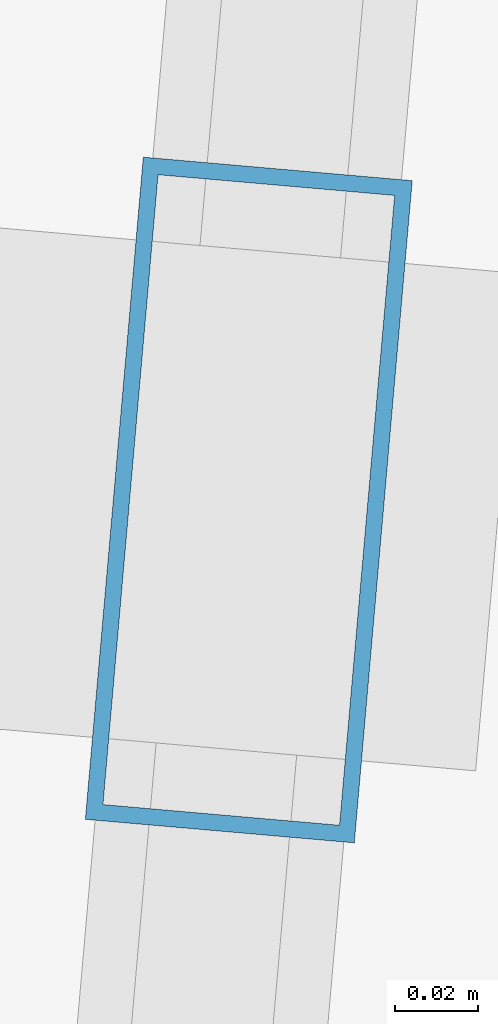
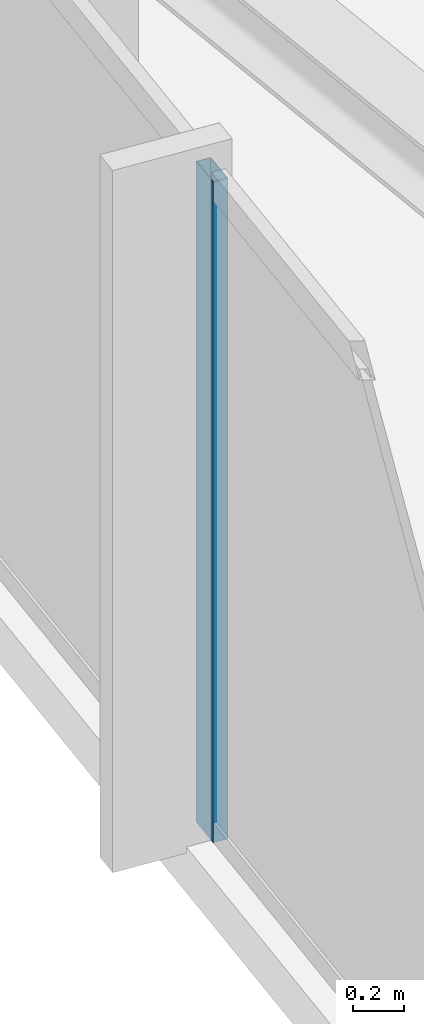
# One storey, part 5 of 33: 1 member, 1 element without a shape of its own.
"""IFC4 building model written with IfcOpenShell, lengths in metres."""

import ifcopenshell
import ifcopenshell.guid

model = None  # the IFC model being written
_history = None  # IfcOwnerHistory: only IFC2X3 demands one
_inside = {}  # id of a spatial element -> (the spatial element, [elements in it])
_under = {}  # id of a project, library or spatial element -> (it, [spatial elements below it])
_declared = {}  # id of a project -> (the project, [libraries it declares])
_typed = {}  # id of a type object -> (the type object, [elements of that type])
_made_of = {}  # id of a material, layer set ... -> (it, [elements and type objects made of it])


def new_model(schema):
    """Start an empty IFC model of exactly this schema.

    Asked for "IFC4X3", IfcOpenShell would pick the latest addendum, in which some entities
    have other attributes; the version numbers below select the first issue.
    IFC2X3 requires an IfcOwnerHistory on every rooted entity: one is made here for all.
    """
    global model, _history
    if schema == "IFC4X3":
        model = ifcopenshell.file(schema_version=(4, 3, 0, 0))
    else:
        model = ifcopenshell.file(schema=schema)
    _inside.clear()
    _under.clear()
    _declared.clear()
    _typed.clear()
    _made_of.clear()
    _history = None
    if model.schema == "IFC2X3":
        org = make("IfcOrganization", Name="unknown")
        user = make(
            "IfcPersonAndOrganization",
            ThePerson=make("IfcPerson", FamilyName="unknown"),
            TheOrganization=org,
        )
        app = make(
            "IfcApplication",
            ApplicationDeveloper=org,
            Version="unknown",
            ApplicationFullName="unknown",
            ApplicationIdentifier="unknown",
        )
        _history = make(
            "IfcOwnerHistory",
            OwningUser=user,
            OwningApplication=app,
            ChangeAction="ADDED",
            CreationDate=0,
        )
    return model


def make(cls, **values):
    """One entity of the class cls with the attributes given. An attribute that is None is left unset."""
    return model.create_entity(
        cls, **{name: value for name, value in values.items() if value is not None}
    )


def rooted(cls, **values):
    """An entity with a GlobalId (a new one), such as an element, a storey or a relation."""
    return make(cls, GlobalId=ifcopenshell.guid.new(), OwnerHistory=_history, **values)


def si_unit(unit_type, name, prefix=None):
    """IfcSIUnit, for example si_unit("LENGTHUNIT", "METRE", prefix="MILLI")."""
    return make("IfcSIUnit", UnitType=unit_type, Prefix=prefix, Name=name)


def assignment(units):
    """IfcUnitAssignment: the units of a project."""
    return None if units is None else make("IfcUnitAssignment", Units=units)


def point(xyz):
    """IfcCartesianPoint."""
    return None if xyz is None else make("IfcCartesianPoint", Coordinates=xyz)


def direction(xyz):
    """IfcDirection."""
    return None if xyz is None else make("IfcDirection", DirectionRatios=xyz)


def frame(location, z_axis=None, x_axis=None):
    """IfcAxis2Placement3D, a coordinate frame: its origin and axes. An axis left out is left unset."""
    return make(
        "IfcAxis2Placement3D",
        Location=point(location),
        Axis=direction(z_axis),
        RefDirection=direction(x_axis),
    )


def frame_2d(location, x_axis=None):
    """IfcAxis2Placement2D, a coordinate frame in the plane: its origin and x axis."""
    return make(
        "IfcAxis2Placement2D", Location=point(location), RefDirection=direction(x_axis)
    )


def origin():
    """The frame at (0, 0, 0) with its axes left unset."""
    return frame((0.0, 0.0, 0.0))


def origin_2d():
    """The frame at (0, 0) in the plane with its x axis left unset."""
    return frame_2d((0.0, 0.0))


def place(relative_to, where):
    """IfcLocalPlacement: puts the frame where relative to a parent placement (None: the world)."""
    return make(
        "IfcLocalPlacement", PlacementRelTo=relative_to, RelativePlacement=where
    )


def context(
    kind, dimensions, precision=None, world=None, true_north=None, identifier=None
):
    """IfcGeometricRepresentationContext, for example the 3D "Model" context."""
    return make(
        "IfcGeometricRepresentationContext",
        ContextIdentifier=identifier,
        ContextType=kind,
        CoordinateSpaceDimension=dimensions,
        Precision=precision,
        WorldCoordinateSystem=world,
        TrueNorth=true_north,
    )


def subcontext(parent, identifier, kind, view, scale=None):
    """IfcGeometricRepresentationSubContext, for example "Body" below "Model"."""
    return make(
        "IfcGeometricRepresentationSubContext",
        ContextIdentifier=identifier,
        ContextType=kind,
        ParentContext=parent,
        TargetScale=scale,
        TargetView=view,
    )


def project(units=None, contexts=None):
    """IfcProject with its units and contexts."""
    return rooted(
        "IfcProject",
        Name="project",
        RepresentationContexts=contexts,
        UnitsInContext=assignment(units),
    )


def spatial(cls, under=None, at=None, **own):
    """A site, building, storey or space (cls), placed at a placement, below another one or the project."""
    s = rooted(cls, ObjectPlacement=at, **own)
    if under is not None:
        _under.setdefault(under.id(), (under, []))[1].append(s)
    return s


def profile(cls, at=None, kind="AREA", **sizes):
    """A parametric profile (cls). Its sizes go by their IFC names, for example OverallWidth=200.0."""
    return make(cls, ProfileType=kind, Position=at, **sizes)


def hollow_rectangle(**sizes):
    """IfcRectangleHollowProfileDef."""
    return profile("IfcRectangleHollowProfileDef", **sizes)


def extrude(swept, where, along, depth):
    """IfcExtrudedAreaSolid: the profile swept, set in the frame where, extruded along a direction by depth."""
    return make(
        "IfcExtrudedAreaSolid",
        SweptArea=swept,
        Position=where,
        ExtrudedDirection=direction(along),
        Depth=depth,
    )


def shape(context_of_items, identifier, shape_type, items):
    """IfcShapeRepresentation: the items that make up one representation, for example the "Body"."""
    return make(
        "IfcShapeRepresentation",
        ContextOfItems=context_of_items,
        RepresentationIdentifier=identifier,
        RepresentationType=shape_type,
        Items=items,
    )


def material(Name=None, Category=None):
    """IfcMaterial."""
    return make("IfcMaterial", Name=Name, Category=Category)


def material_profile(
    of_material, cross_section, Name=None, Category=None, Priority=None
):
    """IfcMaterialProfile: a cross section and its material."""
    return make(
        "IfcMaterialProfile",
        Name=Name,
        Material=of_material,
        Profile=cross_section,
        Priority=Priority,
        Category=Category,
    )


def profile_set(profiles, Name=None, composite=None):
    """IfcMaterialProfileSet."""
    return make(
        "IfcMaterialProfileSet",
        Name=Name,
        MaterialProfiles=profiles,
        CompositeProfile=composite,
    )


def made_of(thing, what):
    """Note that an element or type object is made of a material, layer set ...; save() writes the relation."""
    if what is not None:
        _made_of.setdefault(what.id(), (what, []))[1].append(thing)
    return thing


def type_object(cls, material=None, **own):
    """A type object (cls), such as IfcWallType, which elements share."""
    return made_of(rooted(cls, **own), material)


def element(
    cls,
    number,
    at=None,
    inside=None,
    cuts=None,
    type_object=None,
    material=None,
    context=None,
    identifier="Body",
    shape_type=None,
    held_by="IfcProductDefinitionShape",
    body=None,
    shapes=None,
    **own,
):
    """One element of the class cls, such as IfcWall. Its Tag is "e" and its number.

    at: its placement. inside: the storey or other place that contains it. cuts: it is an
    opening in that element (IfcRelVoidsElement). A single representation is given by context,
    identifier, shape_type and body (its items); several are given by shapes. held_by: the class
    of the entity that holds the representations. save() writes the other relations.
    """
    e = rooted(cls, Tag="e%d" % number, ObjectPlacement=at, **own)
    if body is not None:
        shapes = [shape(context, identifier, shape_type, body)]
    if shapes is not None:
        e.Representation = make(held_by, Representations=shapes)
    if inside is not None:
        _inside.setdefault(inside.id(), (inside, []))[1].append(e)
    if cuts is not None:
        rooted(
            "IfcRelVoidsElement", RelatingBuildingElement=cuts, RelatedOpeningElement=e
        )
    if type_object is not None:
        _typed.setdefault(type_object.id(), (type_object, []))[1].append(e)
    return made_of(e, material)


def aggregate(whole, parts):
    """IfcRelAggregates: a whole, such as a stair, and the parts it consists of."""
    return rooted("IfcRelAggregates", RelatingObject=whole, RelatedObjects=parts)


def save(model, path):
    """Write the relations noted so far, then the file.

    IfcRelAggregates (storeys below a building ...), IfcRelContainedInSpatialStructure (elements
    in a storey), IfcRelDefinesByType, IfcRelAssociatesMaterial and IfcRelDeclares: one each for
    every whole, place, type object, material and project.
    """
    for whole, parts in _under.values():
        aggregate(whole, parts)
    for where, things in _inside.values():
        rooted(
            "IfcRelContainedInSpatialStructure",
            RelatedElements=things,
            RelatingStructure=where,
        )
    for kind, things in _typed.values():
        rooted("IfcRelDefinesByType", RelatedObjects=things, RelatingType=kind)
    for what, things in _made_of.values():
        rooted("IfcRelAssociatesMaterial", RelatedObjects=things, RelatingMaterial=what)
    for by, libraries in _declared.values():
        rooted("IfcRelDeclares", RelatingContext=by, RelatedDefinitions=libraries)
    model.write(path)


model = new_model("IFC4")

# Units and contexts
model_context = context("Model", 3, precision=1e-05, world=origin(), true_north=direction((0.0, 1.0)))
body_context = subcontext(model_context, "Body", "Model", "MODEL_VIEW")
ifc_project = project(units=[si_unit("LENGTHUNIT", "METRE"), si_unit("AREAUNIT", "SQUARE_METRE"), si_unit("VOLUMEUNIT", "CUBIC_METRE"), si_unit("PLANEANGLEUNIT", "RADIAN"), si_unit("MASSUNIT", "GRAM", prefix="KILO")], contexts=[model_context])

# Site, building, storey
site_placement = place(None, origin())
site = spatial("IfcSite", under=ifc_project, at=site_placement, CompositionType="ELEMENT")
building_placement = place(site_placement, origin())
building = spatial("IfcBuilding", under=site, at=building_placement, Name="Yelkora Congress Tower", CompositionType="ELEMENT")
storey_placement = place(building_placement, frame((0.0, 0.0, 286.300048828125)))
storey = spatial("IfcBuildingStorey", under=building, at=storey_placement, Name="L80", CompositionType="ELEMENT", Elevation=286.300048828125)

# Curtain wall, member
ifc_material_1 = material(Name="Anodised aluminium and insulated glass", Category="aluminium")
curtain_wall_type = type_object("IfcCurtainWallType", Name="CW-SYS-B5", PredefinedType="NOTDEFINED", material=ifc_material_1)
curtain_wall_placement = place(storey_placement, origin())
curtain_wall = element("IfcCurtainWall", 1, at=curtain_wall_placement, inside=storey, type_object=curtain_wall_type, Name="L80 Unitised Curtain Wall 5", PredefinedType="NOTDEFINED")
ifc_material_2 = material(Name="Anodised aluminium 6063-T6", Category="aluminium")
ifc_material_profile = material_profile(ifc_material_2, hollow_rectangle(XDim=0.06494140625, YDim=0.159912109375, WallThickness=0.00390625, at=origin_2d()), Name="ALU 65x160x4")
ifc_profile_set = profile_set([ifc_material_profile], Name="Anodised aluminium 6063-T6")
member_type = type_object("IfcMemberType", Name="MEM-ML-B5", PredefinedType="MULLION", material=ifc_profile_set)
member_placement = place(storey_placement, frame((6.313720703125, 28.49658203125, 0.0), z_axis=(0.0, 0.0, 1.0), x_axis=(-0.996194785929, 0.08715473876, 0.0)))
member = element("IfcMember", 2, at=member_placement, type_object=member_type, Name="CW-B5 mullion 2", PredefinedType="MULLION", context=body_context, shape_type="SweptSolid", body=[
    extrude(hollow_rectangle(XDim=0.06494140625, YDim=0.159912109375, WallThickness=0.00390625, at=origin_2d()), origin(), (0.0, 0.0, 1.0), 3.179931640625),
])
aggregate(curtain_wall, [member])

save(model, "model.ifc")
